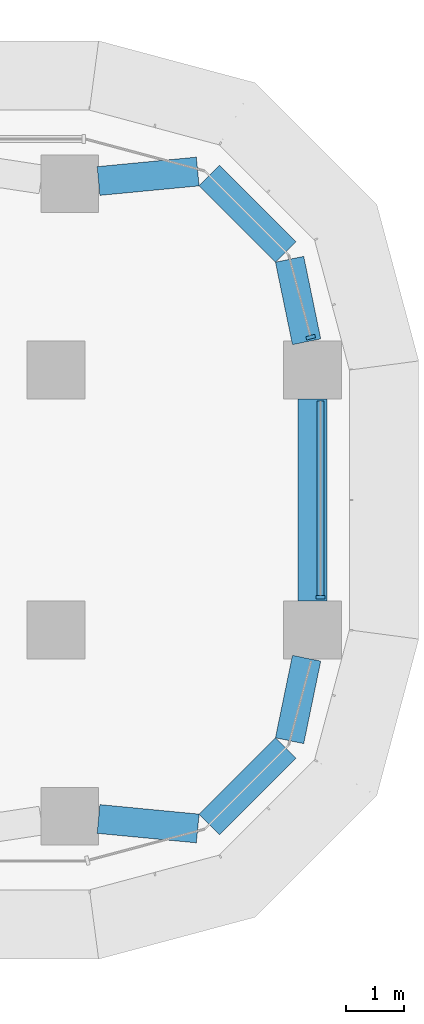
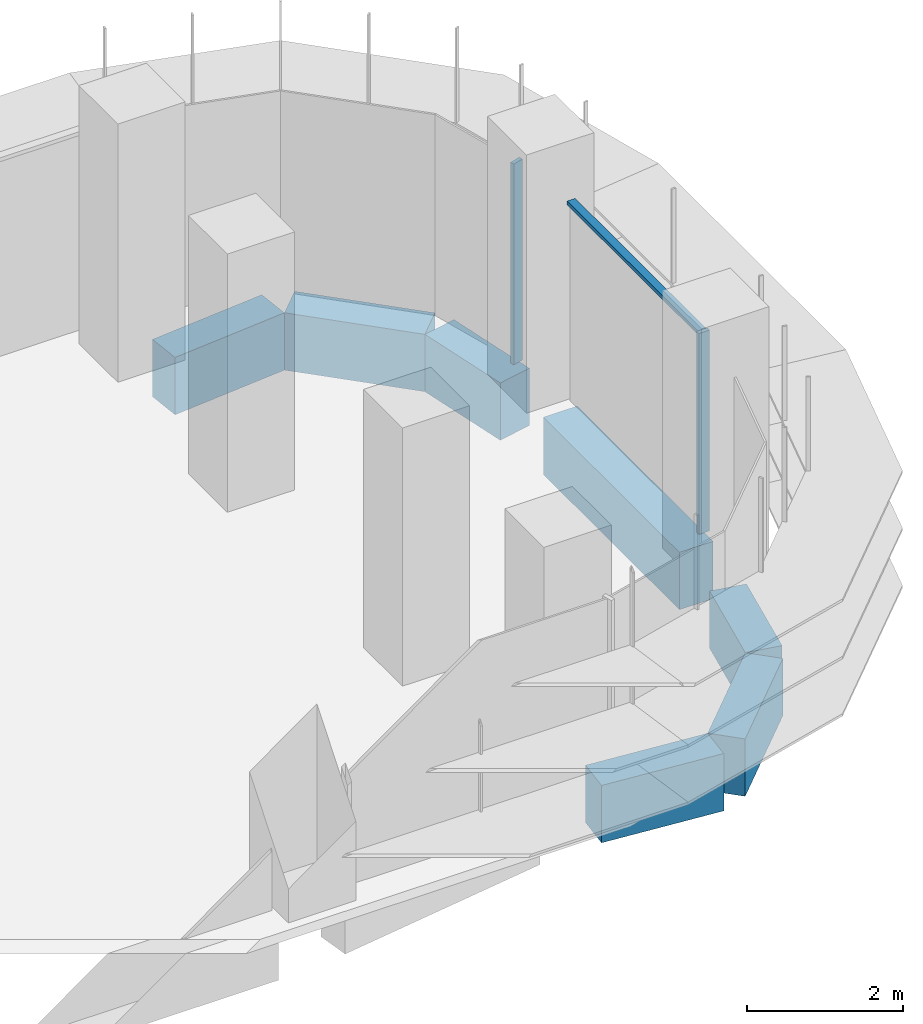
# One storey, part 11 of 23: 7 beams, 3 members, 2 elements without a shape of their own.
"""IFC4 building model written with IfcOpenShell, lengths in metres."""

from ifc_helpers import new_model, si_unit, direction, frame, origin, origin_2d, place, context, subcontext, project, spatial, polyline, rectangle, outline, extrude, source, transform, mapped, material, material_profile, profile_set, type_object, element, aggregate, save


model = new_model("IFC4")

# Units and contexts
model_context = context("Model", 3, precision=1e-05, world=origin(), true_north=direction((0.0, 1.0)))
body_context = subcontext(model_context, "Body", "Model", "MODEL_VIEW")
ifc_project = project(units=[si_unit("LENGTHUNIT", "METRE"), si_unit("AREAUNIT", "SQUARE_METRE"), si_unit("VOLUMEUNIT", "CUBIC_METRE"), si_unit("PLANEANGLEUNIT", "RADIAN"), si_unit("MASSUNIT", "GRAM", prefix="KILO")], contexts=[model_context])

# Site, building, storey
site_placement = place(None, origin())
site = spatial("IfcSite", under=ifc_project, at=site_placement, CompositionType="ELEMENT")
building_placement = place(site_placement, origin())
building = spatial("IfcBuilding", under=site, at=building_placement, Name="Zarbagh Exchange Tower", CompositionType="ELEMENT")
storey_placement = place(building_placement, frame((0.0, 0.0, 35.39990234375)))
storey = spatial("IfcBuildingStorey", under=building, at=storey_placement, Name="L07", CompositionType="ELEMENT", Elevation=35.39990234375)

# Beams
ifc_material_1 = material(Name="Concrete C60/75", Category="concrete")
ifc_material_profile = material_profile(ifc_material_1, rectangle(XDim=0.5, YDim=0.89990234375, at=origin_2d()), Name="RC spandrel beam 500 x 900 C60/75")
ifc_profile_set = profile_set([ifc_material_profile], Name="Concrete C60/75")
beam_type = type_object("IfcBeamType", Name="RC spandrel beam 500 x 900 C60/75", PredefinedType="SPANDREL", material=ifc_profile_set)
beam_1_placement = place(storey_placement, frame((29.40576171875, 5.522705078125, -0.599853515625), z_axis=(0.995431032456, 0.095483294999, 0.0), x_axis=(-0.095483294999, 0.995431032456, 0.0)))
element("IfcBeam", 1, at=beam_1_placement, inside=storey, type_object=beam_type, Name="RC spandrel beam", PredefinedType="SPANDREL", context=body_context, shape_type="SweptSolid", body=[
    extrude(rectangle(XDim=0.5, YDim=0.89990234375, at=origin_2d()), origin(), (0.0, 0.0, 1.0), 1.725830078125),
])
beam_2_placement = place(storey_placement, frame((31.324462890625, 5.615478515625, -0.599853515625), z_axis=(0.707172099812, -0.707041456527, 0.0), x_axis=(0.707041456527, 0.707172099812, 0.0)))
element("IfcBeam", 2, at=beam_2_placement, inside=storey, type_object=beam_type, Name="RC spandrel beam", PredefinedType="SPANDREL", context=body_context, shape_type="SweptSolid", body=[
    extrude(rectangle(XDim=0.5, YDim=0.89990234375, at=origin_2d()), origin(), (0.0, 0.0, 1.0), 1.86865234375),
])
beam_3_placement = place(storey_placement, frame((32.714111328125, 4.16796875, -0.599853515625), z_axis=(0.202068589164, -0.9793713725, 0.0), x_axis=(0.9793713725, 0.202068589164, 0.0)))
element("IfcBeam", 3, at=beam_3_placement, inside=storey, type_object=beam_type, Name="RC spandrel beam", PredefinedType="SPANDREL", context=body_context, shape_type="SweptSolid", body=[
    extrude(rectangle(XDim=0.5, YDim=0.89990234375, at=origin_2d()), origin(), (0.0, 0.0, 1.0), 1.458251953125),
])
beam_4_placement = place(storey_placement, frame((33.110107421875, 1.75, -0.599853515625), z_axis=(0.0, -1.0, 0.0), x_axis=(1.0, 0.0, 0.0)))
element("IfcBeam", 4, at=beam_4_placement, inside=storey, type_object=beam_type, Name="RC spandrel beam", PredefinedType="SPANDREL", context=body_context, shape_type="SweptSolid", body=[
    extrude(rectangle(XDim=0.5, YDim=0.89990234375, at=origin_2d()), origin(), (0.0, 0.0, 1.0), 3.5),
])
beam_5_placement = place(storey_placement, frame((33.0087890625, -2.73974609375, -0.599853515625), z_axis=(-0.202068589164, -0.9793713725, 0.0), x_axis=(0.9793713725, -0.202068589164, 0.0)))
element("IfcBeam", 5, at=beam_5_placement, inside=storey, type_object=beam_type, Name="RC spandrel beam", PredefinedType="SPANDREL", context=body_context, shape_type="SweptSolid", body=[
    extrude(rectangle(XDim=0.5, YDim=0.89990234375, at=origin_2d()), origin(), (0.0, 0.0, 1.0), 1.458251953125),
])
beam_6_placement = place(storey_placement, frame((32.64599609375, -4.294189453125, -0.599853515625), z_axis=(-0.707172099812, -0.707041456527, 0.0), x_axis=(0.707041456527, -0.707172099812, 0.0)))
element("IfcBeam", 6, at=beam_6_placement, inside=storey, type_object=beam_type, Name="RC spandrel beam", PredefinedType="SPANDREL", context=body_context, shape_type="SweptSolid", body=[
    extrude(rectangle(XDim=0.5, YDim=0.89990234375, at=origin_2d()), origin(), (0.0, 0.0, 1.0), 1.86865234375),
])
beam_7_placement = place(storey_placement, frame((31.123779296875, -5.6875, -0.599853515625), z_axis=(-0.995431032456, 0.095483294999, 0.0), x_axis=(-0.095483294999, -0.995431032456, 0.0)))
element("IfcBeam", 7, at=beam_7_placement, inside=storey, type_object=beam_type, Name="RC spandrel beam", PredefinedType="SPANDREL", context=body_context, shape_type="SweptSolid", body=[
    extrude(rectangle(XDim=0.5, YDim=0.89990234375, at=origin_2d()), origin(), (0.0, 0.0, 1.0), 1.725830078125),
])

# Curtain wall, member
ifc_material_2 = material(Name="Anodised aluminium frame and glazing", Category="aluminium")
curtain_wall_type = type_object("IfcCurtainWallType", Name="CWA Ribbon glazing, lower zones", PredefinedType="NOTDEFINED", material=ifc_material_2)
curtain_wall_1_placement = place(storey_placement, origin())
curtain_wall_1 = element("IfcCurtainWall", 8, at=curtain_wall_1_placement, inside=storey, type_object=curtain_wall_type, Name="CWA12 curtain wall", PredefinedType="NOTDEFINED")
ifc_material_3 = material(Name="Anodised aluminium frame", Category="aluminium")
member_type_1 = type_object("IfcMemberType", Name="MUA Mullion, anodised aluminium frame", PredefinedType="MULLION", material=ifc_material_3)
shared_shape_1 = source(origin(), body_context, "Body", "SweptSolid", [
    extrude(outline(polyline([(0.0, -0.080078125), (0.06005859375, -0.080078125), (0.06005859375, 0.080078125), (0.0, 0.080078125), (0.0, -0.080078125)])), origin(), (0.0, 0.0, 1.0), 3.14990234375),
])
placement = place(storey_placement, origin())
member_1 = element("IfcMember", 9, at=placement, type_object=member_type_1, Name="CWA12 mullion 1.1", PredefinedType="MULLION", context=body_context, shape_type="MappedRepresentation", body=[
    mapped(shared_shape_1, transform((33.25, -1.7099609375, 0.0), x_axis=(0.0, 1.0, 0.0), y_axis=(-1.0, 0.0, 0.0), z_axis=(0.0, 0.0, 1.0))),
])

curtain_wall_2_placement = place(storey_placement, origin())
curtain_wall_2 = element("IfcCurtainWall", 10, at=curtain_wall_2_placement, inside=storey, type_object=curtain_wall_type, Name="CWA13 curtain wall", PredefinedType="NOTDEFINED")
member_2 = element("IfcMember", 11, at=placement, type_object=member_type_1, Name="CWA13 mullion 1.1", PredefinedType="MULLION", context=body_context, shape_type="MappedRepresentation", body=[
    mapped(shared_shape_1, transform((33.087646484375, 2.7900390625, 0.0), x_axis=(-0.258824779902, 0.965924289636, 0.0), y_axis=(-0.965924289636, -0.258824779902, 0.0), z_axis=(0.0, 0.0, 1.0))),
])
aggregate(curtain_wall_2, [member_2])

# Member
member_type_2 = type_object("IfcMemberType", Name="TRA Transom, anodised aluminium frame", PredefinedType="USERDEFINED", material=ifc_material_3)
shared_shape_2 = source(origin(), body_context, "Body", "SweptSolid", [
    extrude(outline(polyline([(-0.06005859375, -0.06005859375), (0.0, -0.06005859375), (0.0, 0.06005859375), (-0.06005859375, 0.06005859375), (-0.06005859375, -0.06005859375)])), origin(), (0.0, 0.0, 1.0), 3.360107421875),
])
member_3 = element("IfcMember", 12, at=placement, type_object=member_type_2, Name="CWA12 transom 1.1", ObjectType="TRANSOM", PredefinedType="USERDEFINED", context=body_context, shape_type="MappedRepresentation", body=[
    mapped(shared_shape_2, transform((33.25, -1.64990234375, 3.150146484375), x_axis=(0.0, 0.0, 1.0), y_axis=(1.0, 0.0, 0.0), z_axis=(0.0, 1.0, 0.0))),
])

aggregate(curtain_wall_1, [member_1, member_3])

save(model, "model.ifc")
